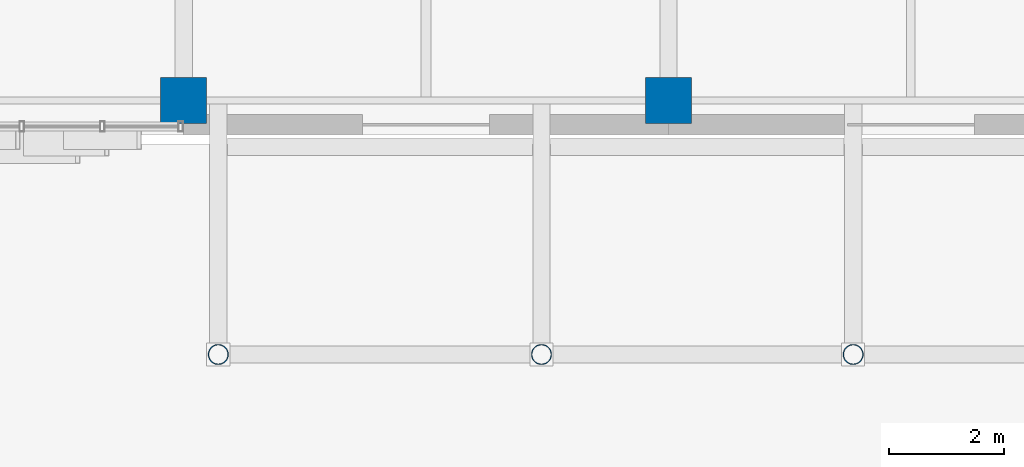
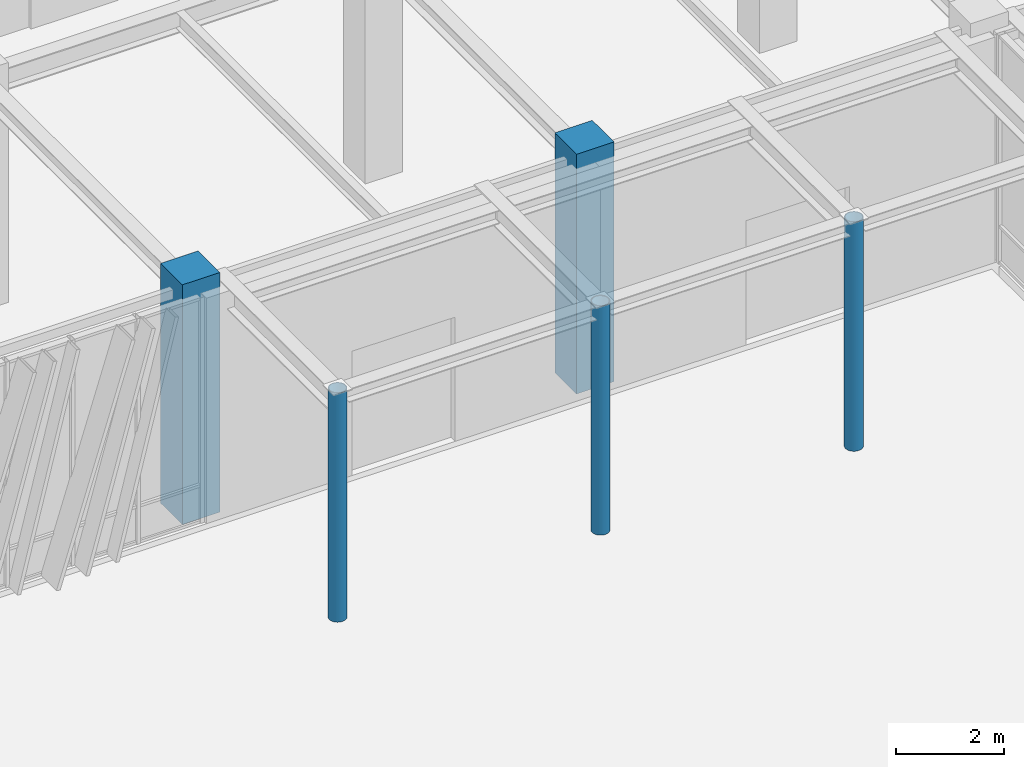
# One storey, part 2 of 122: 5 columns.
"""IFC4 building model written with IfcOpenShell, lengths in metres."""

from ifc_helpers import new_model, si_unit, direction, frame, origin, origin_2d, place, context, subcontext, project, spatial, rectangle, hollow_circle, extrude, material, material_profile, profile_set, type_object, element, save


model = new_model("IFC4")

# Units and contexts
model_context = context("Model", 3, precision=1e-05, world=origin(), true_north=direction((0.0, 1.0)))
body_context = subcontext(model_context, "Body", "Model", "MODEL_VIEW")
ifc_project = project(units=[si_unit("LENGTHUNIT", "METRE"), si_unit("AREAUNIT", "SQUARE_METRE"), si_unit("VOLUMEUNIT", "CUBIC_METRE"), si_unit("PLANEANGLEUNIT", "RADIAN"), si_unit("MASSUNIT", "GRAM", prefix="KILO")], contexts=[model_context])

# Site, building, storey
site_placement = place(None, origin())
site = spatial("IfcSite", under=ifc_project, at=site_placement, CompositionType="ELEMENT")
building_placement = place(site_placement, origin())
building = spatial("IfcBuilding", under=site, at=building_placement, Name="Zayran Congress Hotel", CompositionType="ELEMENT")
storey_placement = place(building_placement, origin())
storey = spatial("IfcBuildingStorey", under=building, at=storey_placement, Name="L00", CompositionType="ELEMENT", Elevation=0.0)

# Columns
ifc_material_1 = material(Name="Concrete C40/50", Category="concrete")
ifc_material_profile_1 = material_profile(ifc_material_1, rectangle(XDim=0.800048828125, YDim=0.800048828125, at=origin_2d()), Name="RC 800x800")
ifc_profile_set_1 = profile_set([ifc_material_profile_1], Name="Concrete C40/50")
column_type_1 = type_object("IfcColumnType", Name="TP-CL-02", PredefinedType="COLUMN", material=ifc_profile_set_1)
for number, where, z_axis, x_axis, name in (
    (1, (58.800048828125, 68.199951171875, 0.0), (0.0, 0.0, 1.0), (1.0, 0.0, 0.0), "COL-V1-L00-0289"),
    (2, (67.199951171875, 68.199951171875, 0.0), (0.0, 0.0, 1.0), (1.0, 0.0, 0.0), "COL-V1-L00-0294"),
):
    element("IfcColumn", number, at=place(storey_placement, frame(where, z_axis=z_axis, x_axis=x_axis)), inside=storey, type_object=column_type_1, Name=name, PredefinedType="COLUMN", context=body_context, shape_type="SweptSolid", body=[
        extrude(rectangle(XDim=0.800048828125, YDim=0.800048828125, at=origin_2d()), origin(), (0.0, 0.0, 1.0), 5.39990234375),
    ])
ifc_material_2 = material(Name="Steel S355", Category="steel")
ifc_material_profile_2 = material_profile(ifc_material_2, hollow_circle(Radius=0.177734375, WallThickness=0.01611328125, at=origin_2d()), Name="CHS 355.6x16")
ifc_profile_set_2 = profile_set([ifc_material_profile_2], Name="Steel S355")
column_type_2 = type_object("IfcColumnType", Name="TP-CL-10", PredefinedType="COLUMN", material=ifc_profile_set_2)
for number, where, z_axis, x_axis, name in (
    (3, (59.39990234375, 63.800048828125, 0.0), (0.0, 0.0, 1.0), (1.0, 0.0, 0.0), "COL-CAN-1"),
    (4, (65.0, 63.800048828125, 0.0), (0.0, 0.0, 1.0), (1.0, 0.0, 0.0), "COL-CAN-2"),
    (5, (70.39990234375, 63.800048828125, 0.0), (0.0, 0.0, 1.0), (1.0, 0.0, 0.0), "COL-CAN-3"),
):
    element("IfcColumn", number, at=place(storey_placement, frame(where, z_axis=z_axis, x_axis=x_axis)), inside=storey, type_object=column_type_2, Name=name, PredefinedType="COLUMN", context=body_context, shape_type="SweptSolid", body=[
        extrude(hollow_circle(Radius=0.177734375, WallThickness=0.01611328125, at=origin_2d()), origin(), (0.0, 0.0, 1.0), 5.159912109375),
    ])

save(model, "model.ifc")
